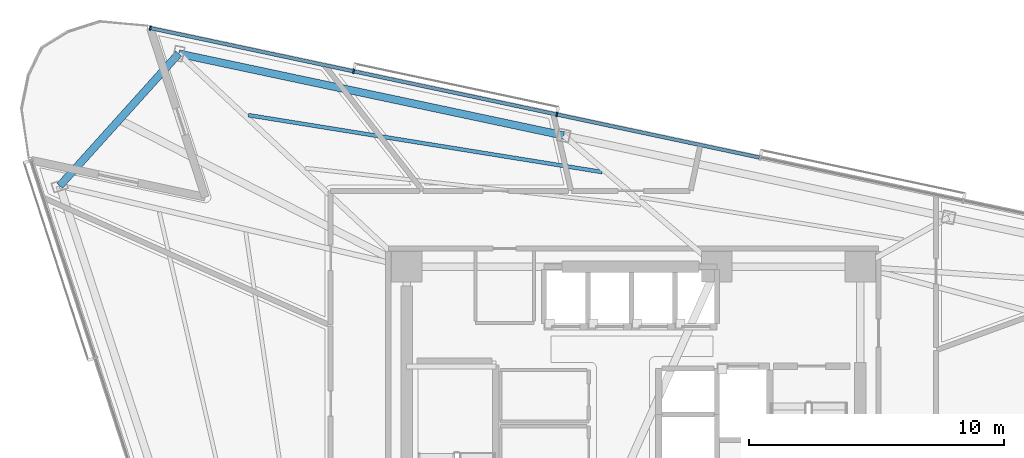
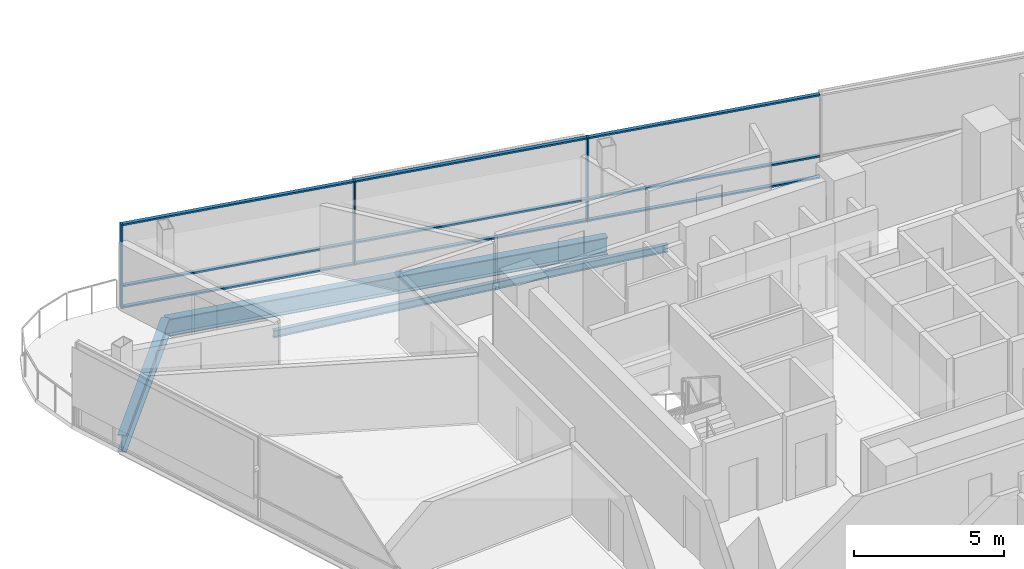
# One storey, part 7 of 17: 12 members, 3 beams, 1 element without a shape of its own.
"""IFC4 building model written with IfcOpenShell, lengths in metres."""

from ifc_helpers import new_model, si_unit, direction, frame, origin, origin_2d, place, context, subcontext, project, spatial, rectangle, i_section, extrude, material, layer, layer_set, material_profile, profile_set, type_object, element, aggregate, save


model = new_model("IFC4")

# Units and contexts
model_context = context("Model", 3, precision=1e-05, world=origin(), true_north=direction((0.0, 1.0)))
body_context = subcontext(model_context, "Body", "Model", "MODEL_VIEW")
ifc_project = project(units=[si_unit("LENGTHUNIT", "METRE"), si_unit("AREAUNIT", "SQUARE_METRE"), si_unit("VOLUMEUNIT", "CUBIC_METRE"), si_unit("PLANEANGLEUNIT", "RADIAN"), si_unit("MASSUNIT", "GRAM", prefix="KILO")], contexts=[model_context])

# Site, building, storey
site_placement = place(None, origin())
site = spatial("IfcSite", under=ifc_project, at=site_placement, CompositionType="ELEMENT")
building_placement = place(site_placement, origin())
building = spatial("IfcBuilding", under=site, at=building_placement, Name="Tharavind Bronze Gate", CompositionType="ELEMENT")
storey_placement = place(building_placement, frame((0.0, 0.0, 214.85009765625)))
storey = spatial("IfcBuildingStorey", under=building, at=storey_placement, Name="L55", CompositionType="ELEMENT", Elevation=214.85009765625)

# Curtain wall, members
ifc_material_1 = material(Name="Anodised Bronze Aluminium", Category="aluminium")
ifc_layer = layer(ifc_material_1, 0.219970703125)
ifc_layer_set = layer_set([ifc_layer], Name="Anodised Bronze Aluminium")
curtain_wall_type = type_object("IfcCurtainWallType", Name="UNITISED CURTAIN WALL MID OFFICE", PredefinedType="USERDEFINED", material=ifc_layer_set)
curtain_wall_placement = place(storey_placement, origin())
curtain_wall = element("IfcCurtainWall", 1, at=curtain_wall_placement, inside=storey, type_object=curtain_wall_type, Name="L55 unitised curtain wall mid office CW-L55-S3", ObjectType="UNITISED CURTAIN WALL", PredefinedType="USERDEFINED")
member_type_1 = type_object("IfcMemberType", Name="CURTAIN WALL BRONZE MULLION 65X180", PredefinedType="MULLION", material=ifc_material_1)
member_1_placement = place(storey_placement, frame((-3.004638671875, 13.576416015625, 0.0), z_axis=(0.0, 0.0, 1.0), x_axis=(-0.978147600734, 0.207911690818, 0.0)))
member_1 = element("IfcMember", 2, at=member_1_placement, type_object=member_type_1, Name="CW-L55-S3 mullion 5", PredefinedType="MULLION", context=body_context, shape_type="SweptSolid", body=[
    extrude(rectangle(XDim=0.06494140625, YDim=0.179931640625, at=origin_2d()), origin(), (0.0, 0.0, 1.0), 3.419921875),
])
member_2_placement = place(storey_placement, frame((-10.982177734375, 15.27197265625, 0.0), z_axis=(0.0, 0.0, 1.0), x_axis=(-0.978147600734, 0.207911690818, 0.0)))
member_2 = element("IfcMember", 3, at=member_2_placement, type_object=member_type_1, Name="CW-L55-S3 mullion 6", PredefinedType="MULLION", context=body_context, shape_type="SweptSolid", body=[
    extrude(rectangle(XDim=0.06494140625, YDim=0.179931640625, at=origin_2d()), origin(), (0.0, 0.0, 1.0), 3.419921875),
])
member_3_placement = place(storey_placement, frame((-18.959716796875, 16.967529296875, 0.0), z_axis=(0.0, 0.0, 1.0), x_axis=(-0.978147600734, 0.207911690818, 0.0)))
member_3 = element("IfcMember", 4, at=member_3_placement, type_object=member_type_1, Name="CW-L55-S3 mullion 7", PredefinedType="MULLION", context=body_context, shape_type="SweptSolid", body=[
    extrude(rectangle(XDim=0.06494140625, YDim=0.179931640625, at=origin_2d()), origin(), (0.0, 0.0, 1.0), 3.419921875),
])
member_type_2 = type_object("IfcMemberType", Name="CURTAIN WALL BRONZE TRANSOM 65X140", PredefinedType="USERDEFINED", material=ifc_material_1)
member_4_placement = place(storey_placement, frame((0.98388671875, 12.728515625, 0.0), z_axis=(0.0, 0.0, 1.0), x_axis=(-0.978147600734, 0.207911690818, 0.0)))
member_4 = element("IfcMember", 5, at=member_4_placement, type_object=member_type_2, Name="CW-L55-S3 transom TB4", ObjectType="TRANSOM", PredefinedType="USERDEFINED", context=body_context, shape_type="SweptSolid", body=[
    extrude(rectangle(XDim=8.102783203125, YDim=0.139892578125, at=origin_2d()), origin(), (0.0, 0.0, 1.0), 0.06494140625),
])
member_5_placement = place(storey_placement, frame((0.98388671875, 12.728515625, 0.867431640625), z_axis=(0.0, 0.0, 1.0), x_axis=(-0.978147600734, 0.207911690818, 0.0)))
member_5 = element("IfcMember", 6, at=member_5_placement, type_object=member_type_2, Name="CW-L55-S3 transom TS4", ObjectType="TRANSOM", PredefinedType="USERDEFINED", context=body_context, shape_type="SweptSolid", body=[
    extrude(rectangle(XDim=8.102783203125, YDim=0.139892578125, at=origin_2d()), origin(), (0.0, 0.0, 1.0), 0.06494140625),
])
member_6_placement = place(storey_placement, frame((0.98388671875, 12.728515625, 3.35498046875), z_axis=(0.0, 0.0, 1.0), x_axis=(-0.978147600734, 0.207911690818, 0.0)))
member_6 = element("IfcMember", 7, at=member_6_placement, type_object=member_type_2, Name="CW-L55-S3 transom TT4", ObjectType="TRANSOM", PredefinedType="USERDEFINED", context=body_context, shape_type="SweptSolid", body=[
    extrude(rectangle(XDim=8.102783203125, YDim=0.139892578125, at=origin_2d()), origin(), (0.0, 0.0, 1.0), 0.06494140625),
])
member_7_placement = place(storey_placement, frame((-6.993408203125, 14.424072265625, 0.0), z_axis=(0.0, 0.0, 1.0), x_axis=(-0.978147600734, 0.207911690818, 0.0)))
member_7 = element("IfcMember", 8, at=member_7_placement, type_object=member_type_2, Name="CW-L55-S3 transom TB5", ObjectType="TRANSOM", PredefinedType="USERDEFINED", context=body_context, shape_type="SweptSolid", body=[
    extrude(rectangle(XDim=8.102783203125, YDim=0.139892578125, at=origin_2d()), origin(), (0.0, 0.0, 1.0), 0.06494140625),
])
member_8_placement = place(storey_placement, frame((-6.993408203125, 14.424072265625, 0.867431640625), z_axis=(0.0, 0.0, 1.0), x_axis=(-0.978147600734, 0.207911690818, 0.0)))
member_8 = element("IfcMember", 9, at=member_8_placement, type_object=member_type_2, Name="CW-L55-S3 transom TS5", ObjectType="TRANSOM", PredefinedType="USERDEFINED", context=body_context, shape_type="SweptSolid", body=[
    extrude(rectangle(XDim=8.102783203125, YDim=0.139892578125, at=origin_2d()), origin(), (0.0, 0.0, 1.0), 0.06494140625),
])
member_9_placement = place(storey_placement, frame((-6.993408203125, 14.424072265625, 3.35498046875), z_axis=(0.0, 0.0, 1.0), x_axis=(-0.978147600734, 0.207911690818, 0.0)))
member_9 = element("IfcMember", 10, at=member_9_placement, type_object=member_type_2, Name="CW-L55-S3 transom TT5", ObjectType="TRANSOM", PredefinedType="USERDEFINED", context=body_context, shape_type="SweptSolid", body=[
    extrude(rectangle(XDim=8.102783203125, YDim=0.139892578125, at=origin_2d()), origin(), (0.0, 0.0, 1.0), 0.06494140625),
])
member_10_placement = place(storey_placement, frame((-14.970947265625, 16.119873046875, 0.0), z_axis=(0.0, 0.0, 1.0), x_axis=(-0.978147600734, 0.207911690818, 0.0)))
member_10 = element("IfcMember", 11, at=member_10_placement, type_object=member_type_2, Name="CW-L55-S3 transom TB6", ObjectType="TRANSOM", PredefinedType="USERDEFINED", context=body_context, shape_type="SweptSolid", body=[
    extrude(rectangle(XDim=8.102783203125, YDim=0.139892578125, at=origin_2d()), origin(), (0.0, 0.0, 1.0), 0.06494140625),
])
member_11_placement = place(storey_placement, frame((-14.970947265625, 16.119873046875, 0.867431640625), z_axis=(0.0, 0.0, 1.0), x_axis=(-0.978147600734, 0.207911690818, 0.0)))
member_11 = element("IfcMember", 12, at=member_11_placement, type_object=member_type_2, Name="CW-L55-S3 transom TS6", ObjectType="TRANSOM", PredefinedType="USERDEFINED", context=body_context, shape_type="SweptSolid", body=[
    extrude(rectangle(XDim=8.102783203125, YDim=0.139892578125, at=origin_2d()), origin(), (0.0, 0.0, 1.0), 0.06494140625),
])
member_12_placement = place(storey_placement, frame((-14.970947265625, 16.119873046875, 3.35498046875), z_axis=(0.0, 0.0, 1.0), x_axis=(-0.978147600734, 0.207911690818, 0.0)))
member_12 = element("IfcMember", 13, at=member_12_placement, type_object=member_type_2, Name="CW-L55-S3 transom TT6", ObjectType="TRANSOM", PredefinedType="USERDEFINED", context=body_context, shape_type="SweptSolid", body=[
    extrude(rectangle(XDim=8.102783203125, YDim=0.139892578125, at=origin_2d()), origin(), (0.0, 0.0, 1.0), 0.06494140625),
])
aggregate(curtain_wall, [member_1, member_2, member_3, member_4, member_5, member_6, member_7, member_8, member_9, member_10, member_11, member_12])

# Beams
ifc_material_2 = material(Name="Steel S355", Category="steel")
ifc_material_profile_1 = material_profile(ifc_material_2, i_section(OverallWidth=0.300048828125, OverallDepth=0.699951171875, WebThickness=0.01708984375, FlangeThickness=0.031982421875, at=origin_2d()), Name="HE700B")
ifc_profile_set_1 = profile_set([ifc_material_profile_1], Name="Steel S355")
beam_type_1 = type_object("IfcBeamType", Name="RING GIRDER HE700B", PredefinedType="USERDEFINED", material=ifc_profile_set_1)
beam_1_placement = place(storey_placement, frame((-2.737060546875, 12.752685546875, -0.530029296875), z_axis=(-0.978148967388, 0.207905261111, 0.0), x_axis=(-0.207905261111, -0.978148967388, 0.0)))
element("IfcBeam", 14, at=beam_1_placement, inside=storey, type_object=beam_type_1, Name="L55 ring girder he700b BM-L55-PRG11", ObjectType="GIRDER", PredefinedType="USERDEFINED", context=body_context, shape_type="SweptSolid", body=[
    extrude(i_section(OverallWidth=0.300048828125, OverallDepth=0.699951171875, WebThickness=0.01708984375, FlangeThickness=0.031982421875, at=origin_2d()), origin(), (0.0, 0.0, 1.0), 15.4453125),
])
beam_2_placement = place(storey_placement, frame((-17.844970703125, 15.9638671875, -0.530029296875), z_axis=(-0.669130909152, -0.743144552841, 0.0), x_axis=(0.743144552841, -0.669130909152, 0.0)))
element("IfcBeam", 15, at=beam_2_placement, inside=storey, type_object=beam_type_1, Name="L55 ring girder he700b BM-L55-PRG12", ObjectType="GIRDER", PredefinedType="USERDEFINED", context=body_context, shape_type="SweptSolid", body=[
    extrude(i_section(OverallWidth=0.300048828125, OverallDepth=0.699951171875, WebThickness=0.01708984375, FlangeThickness=0.031982421875, at=origin_2d()), origin(), (0.0, 0.0, 1.0), 6.979736328125),
])
ifc_material_profile_2 = material_profile(ifc_material_2, i_section(OverallWidth=0.14990234375, OverallDepth=0.300048828125, WebThickness=0.007080078125, FlangeThickness=0.0107421875, at=origin_2d()), Name="IPE300")
ifc_profile_set_2 = profile_set([ifc_material_profile_2], Name="Steel S355")
beam_type_2 = type_object("IfcBeamType", Name="SECONDARY FLOOR JOIST IPE300", PredefinedType="JOIST", material=ifc_profile_set_2)
beam_3_placement = place(storey_placement, frame((-1.224853515625, 11.316650390625, -0.330078125), z_axis=(-0.987305145712, 0.158834974899, 0.0), x_axis=(-0.158834974899, -0.987305145712, 0.0)))
element("IfcBeam", 16, at=beam_3_placement, inside=storey, type_object=beam_type_2, Name="L55 secondary floor joist ipe300 BM-L55-JSTB11", PredefinedType="JOIST", context=body_context, shape_type="SweptSolid", body=[
    extrude(i_section(OverallWidth=0.14990234375, OverallDepth=0.300048828125, WebThickness=0.007080078125, FlangeThickness=0.0107421875, at=origin_2d()), origin(), (0.0, 0.0, 1.0), 14.0595703125),
])

save(model, "model.ifc")
